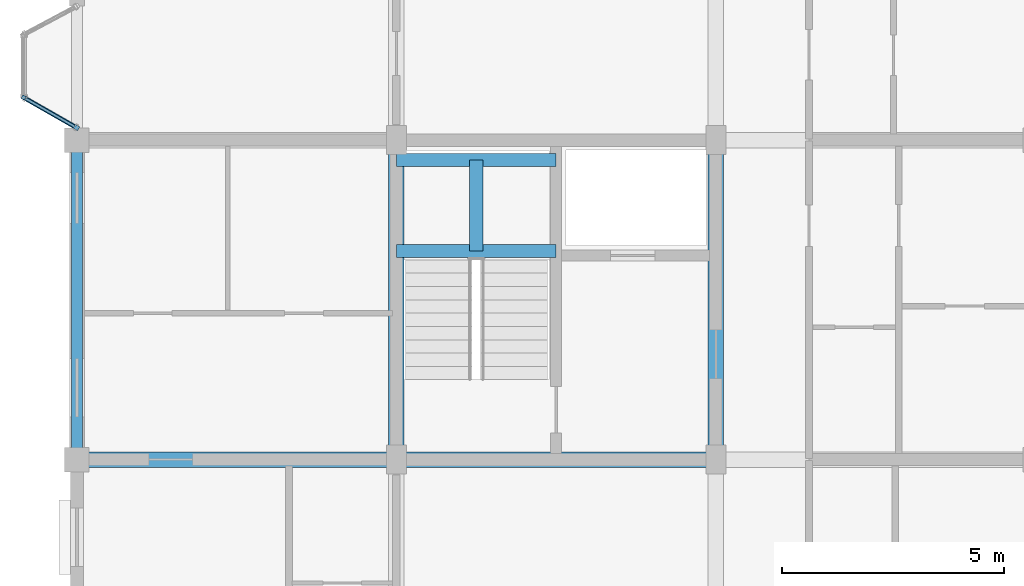
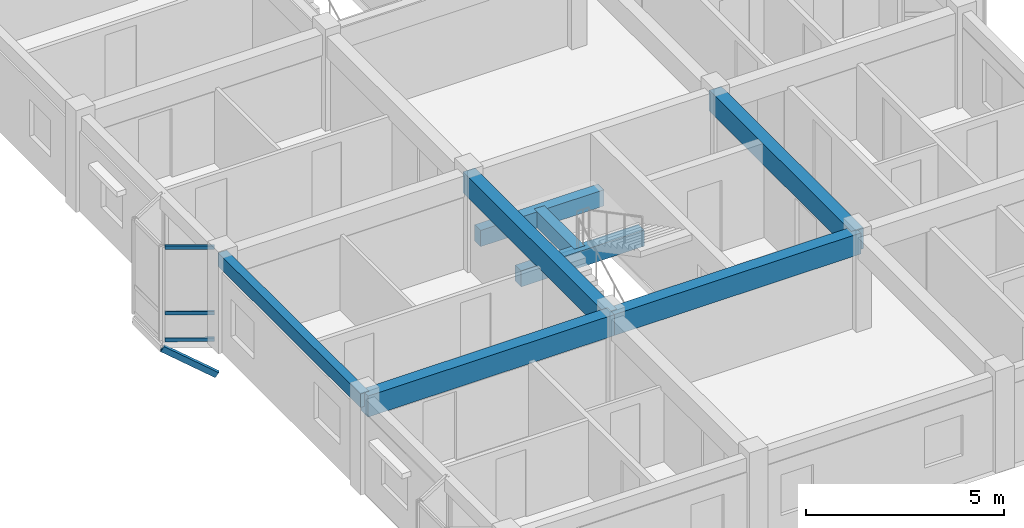
# One storey, part 16 of 77: 8 beams, 4 members, 1 element without a shape of its own.
"""IFC4 building model written with IfcOpenShell, lengths in metres."""

from ifc_helpers import new_model, si_unit, direction, frame, origin, origin_2d, place, context, subcontext, project, spatial, rectangle, hollow_rectangle, extrude, material, layer, layer_set, material_profile, profile_set, type_object, element, aggregate, save


model = new_model("IFC4")

# Units and contexts
model_context = context("Model", 3, precision=1e-05, world=origin(), true_north=direction((0.0, 1.0)))
body_context = subcontext(model_context, "Body", "Model", "MODEL_VIEW")
ifc_project = project(units=[si_unit("LENGTHUNIT", "METRE"), si_unit("AREAUNIT", "SQUARE_METRE"), si_unit("VOLUMEUNIT", "CUBIC_METRE"), si_unit("PLANEANGLEUNIT", "RADIAN"), si_unit("MASSUNIT", "GRAM", prefix="KILO"), si_unit("THERMODYNAMICTEMPERATUREUNIT", "KELVIN"), si_unit("POWERUNIT", "WATT")], contexts=[model_context])

# Site, building, storey
site_placement = place(None, origin())
site = spatial("IfcSite", under=ifc_project, at=site_placement, CompositionType="ELEMENT")
building_placement = place(site_placement, origin())
building = spatial("IfcBuilding", under=site, at=building_placement, Name="Tavuni Mirador Residences", CompositionType="ELEMENT")
storey_placement = place(building_placement, frame((0.0, 0.0, 10.800048828125)))
storey = spatial("IfcBuildingStorey", under=building, at=storey_placement, Name="L03", CompositionType="ELEMENT", Elevation=10.800048828125)

# Beams
ifc_material_1 = material(Name="Precast concrete C40/50", Category="concrete")
ifc_material_profile_1 = material_profile(ifc_material_1, rectangle(XDim=0.300048828125, YDim=0.5, at=origin_2d()), Name="PC 300x500", Category="concrete")
ifc_profile_set_1 = profile_set([ifc_material_profile_1], Name="Precast concrete C40/50")
beam_type_1 = type_object("IfcBeamType", Name="BT-B500", PredefinedType="BEAM", material=ifc_profile_set_1)
for number, where, z_axis, x_axis, name in (
    (1, (10.800048828125, 76.699951171875, 1.14501953125), (1.0, 0.0, 0.0), (0.0, 1.0, 0.0), "HLB1-C3-L03"),
    (2, (10.800048828125, 78.75, 1.14501953125), (1.0, 0.0, 0.0), (0.0, 1.0, 0.0), "HLB2-C3-L03"),
):
    element("IfcBeam", number, at=place(storey_placement, frame(where, z_axis=z_axis, x_axis=x_axis)), inside=storey, type_object=beam_type_1, Name=name, PredefinedType="BEAM", context=body_context, shape_type="SweptSolid", body=[
        extrude(rectangle(XDim=0.300048828125, YDim=0.5, at=origin_2d()), origin(), (0.0, 0.0, 1.0), 3.599853515625),
    ])
beam_1_placement = place(storey_placement, frame((12.60009765625, 76.699951171875, 1.14501953125), z_axis=(0.0, 1.0, 0.0), x_axis=(-1.0, 0.0, 0.0)))
element("IfcBeam", 3, at=beam_1_placement, inside=storey, type_object=beam_type_1, Name="HLB3-C3-L03", PredefinedType="BEAM", context=body_context, shape_type="SweptSolid", body=[
    extrude(rectangle(XDim=0.300048828125, YDim=0.5, at=origin_2d()), origin(), (0.0, 0.0, 1.0), 2.050048828125),
])
ifc_material_profile_2 = material_profile(ifc_material_1, rectangle(XDim=0.35009765625, YDim=0.64990234375, at=origin_2d()), Name="PC 350x650", Category="concrete")
ifc_profile_set_2 = profile_set([ifc_material_profile_2], Name="Precast concrete C40/50")
beam_type_2 = type_object("IfcBeamType", Name="BT-B650", PredefinedType="BEAM", material=ifc_profile_set_2)
for number, where, z_axis, x_axis, name in (
    (4, (3.60009765625, 72.0, 2.5849609375), (1.0, 0.0, 0.0), (0.0, 1.0, 0.0), "BMX-BLK-B-L03-00-01"),
    (5, (10.800048828125, 72.0, 2.5849609375), (1.0, 0.0, 0.0), (0.0, 1.0, 0.0), "BMX-BLK-B-L03-01-01"),
    (6, (10.800048828125, 72.0, 2.5849609375), (0.0, 1.0, 0.0), (-1.0, 0.0, 0.0), "BMY-BLK-B-L03-01-01"),
    (7, (18.0, 72.0, 2.5849609375), (0.0, 1.0, 0.0), (-1.0, 0.0, 0.0), "BMY-BLK-B-L03-02-01"),
):
    element("IfcBeam", number, at=place(storey_placement, frame(where, z_axis=z_axis, x_axis=x_axis)), inside=storey, type_object=beam_type_2, Name=name, PredefinedType="BEAM", context=body_context, shape_type="SweptSolid", body=[
        extrude(rectangle(XDim=0.35009765625, YDim=0.64990234375, at=origin_2d()), origin(), (0.0, 0.0, 1.0), 7.199951171875),
    ])
ifc_material_profile_3 = material_profile(ifc_material_1, rectangle(XDim=0.25, YDim=0.419921875, at=origin_2d()), Name="PC 250x420", Category="concrete")
ifc_profile_set_3 = profile_set([ifc_material_profile_3], Name="Precast concrete C40/50")
beam_type_3 = type_object("IfcBeamType", Name="BT-SP420", PredefinedType="SPANDREL", material=ifc_profile_set_3)
beam_2_placement = place(storey_placement, frame((3.60009765625, 72.0, 2.699951171875), z_axis=(0.0, 1.0, 0.0), x_axis=(-1.0, 0.0, 0.0)))
element("IfcBeam", 8, at=beam_2_placement, inside=storey, type_object=beam_type_3, Name="BMY-BLK-B-L03-00-01", PredefinedType="SPANDREL", context=body_context, shape_type="SweptSolid", body=[
    extrude(rectangle(XDim=0.25, YDim=0.419921875, at=origin_2d()), origin(), (0.0, 0.0, 1.0), 7.199951171875),
])

# Curtain wall, members
ifc_material_2 = material(Name="Anodised aluminium", Category="aluminium")
ifc_layer = layer(ifc_material_2, 0.1650390625, Name="Anodised aluminium", Category="aluminium")
ifc_layer_set = layer_set([ifc_layer], Name="Anodised aluminium")
curtain_wall_type = type_object("IfcCurtainWallType", Name="CWT-MIR-A", PredefinedType="NOTDEFINED", material=ifc_layer_set)
curtain_wall_placement = place(storey_placement, origin())
curtain_wall = element("IfcCurtainWall", 9, at=curtain_wall_placement, inside=storey, type_object=curtain_wall_type, Name="CW-MIR-B-W2-L03-M2", PredefinedType="NOTDEFINED")
ifc_material_profile_4 = material_profile(ifc_material_2, hollow_rectangle(XDim=0.06005859375, YDim=0.110107421875, WallThickness=0.00390625, at=origin_2d()), Name="ALU 60x110x4.0", Category="aluminium")
ifc_profile_set_4 = profile_set([ifc_material_profile_4], Name="Anodised aluminium")
member_type_1 = type_object("IfcMemberType", Name="CWT-110", PredefinedType="USERDEFINED", material=ifc_profile_set_4)
member_1_placement = place(storey_placement, frame((2.4521484375, 80.13037109375, 0.030029296875), z_axis=(0.868374088354, -0.495909712222, 0.0), x_axis=(0.495909712222, 0.868374088354, 0.0)))
member_1 = element("IfcMember", 10, at=member_1_placement, type_object=member_type_1, Name="CW-01 transom 1.1", ObjectType="TRANSOM", PredefinedType="USERDEFINED", context=body_context, shape_type="SweptSolid", body=[
    extrude(hollow_rectangle(XDim=0.06005859375, YDim=0.110107421875, WallThickness=0.00390625, at=origin_2d()), origin(), (0.0, 0.0, 1.0), 1.26171875),
])
member_2_placement = place(storey_placement, frame((2.4521484375, 80.13037109375, 0.849853515625), z_axis=(0.868374088354, -0.495909712222, 0.0), x_axis=(0.495909712222, 0.868374088354, 0.0)))
member_2 = element("IfcMember", 11, at=member_2_placement, type_object=member_type_1, Name="CW-01 transom 1.2", ObjectType="TRANSOM", PredefinedType="USERDEFINED", context=body_context, shape_type="SweptSolid", body=[
    extrude(hollow_rectangle(XDim=0.06005859375, YDim=0.110107421875, WallThickness=0.00390625, at=origin_2d()), origin(), (0.0, 0.0, 1.0), 1.26171875),
])
member_3_placement = place(storey_placement, frame((2.4521484375, 80.13037109375, 2.8798828125), z_axis=(0.868374088354, -0.495909712222, 0.0), x_axis=(0.495909712222, 0.868374088354, 0.0)))
member_3 = element("IfcMember", 12, at=member_3_placement, type_object=member_type_1, Name="CW-01 transom 1.3", ObjectType="TRANSOM", PredefinedType="USERDEFINED", context=body_context, shape_type="SweptSolid", body=[
    extrude(hollow_rectangle(XDim=0.06005859375, YDim=0.110107421875, WallThickness=0.00390625, at=origin_2d()), origin(), (0.0, 0.0, 1.0), 1.26171875),
])
aggregate(curtain_wall, [member_1, member_2, member_3])

# Member
ifc_material_3 = material(Name="Structural steel S355", Category="steel")
ifc_material_profile_5 = material_profile(ifc_material_3, hollow_rectangle(XDim=0.10009765625, YDim=0.179931640625, WallThickness=0.008056640625, at=origin_2d()), Name="RHS 180x100x8.0", Category="steel")
ifc_profile_set_5 = profile_set([ifc_material_profile_5], Name="Structural steel S355")
member_type_2 = type_object("IfcMemberType", Name="MT-BR-RHS180", PredefinedType="BRACE", material=ifc_profile_set_5)
member_4_placement = place(storey_placement, frame((3.60009765625, 79.47509765625, -1.050048828125), z_axis=(-0.749297922844, 0.427538786326, 0.505730371847), x_axis=(-0.495587053321, -0.868558272415, 0.0)))
element("IfcMember", 13, at=member_4_placement, inside=storey, type_object=member_type_2, Name="MBRK-MIR-B-W2-L03-1", PredefinedType="BRACE", context=body_context, shape_type="SweptSolid", body=[
    extrude(hollow_rectangle(XDim=0.10009765625, YDim=0.179931640625, WallThickness=0.008056640625, at=origin_2d()), origin(), (0.0, 0.0, 1.0), 1.601806640625),
])

save(model, "model.ifc")
